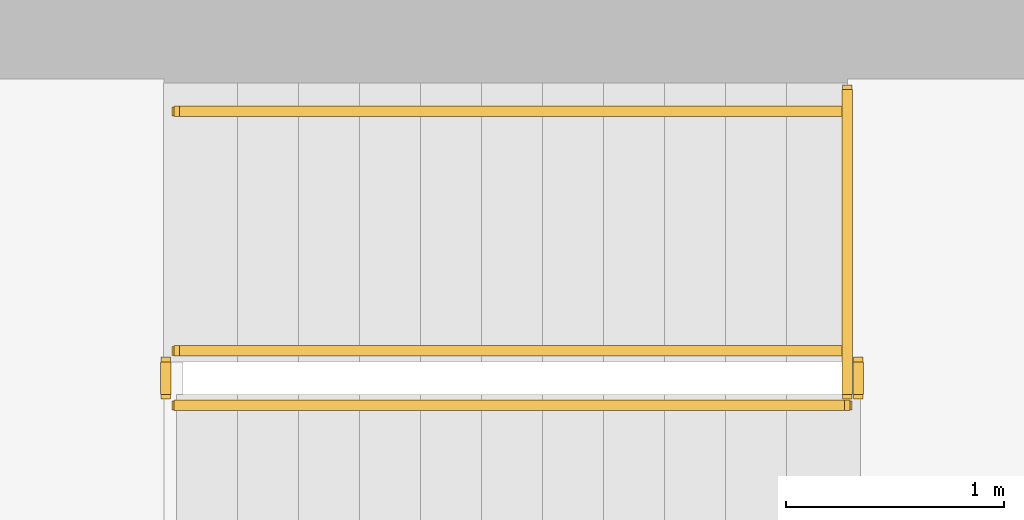
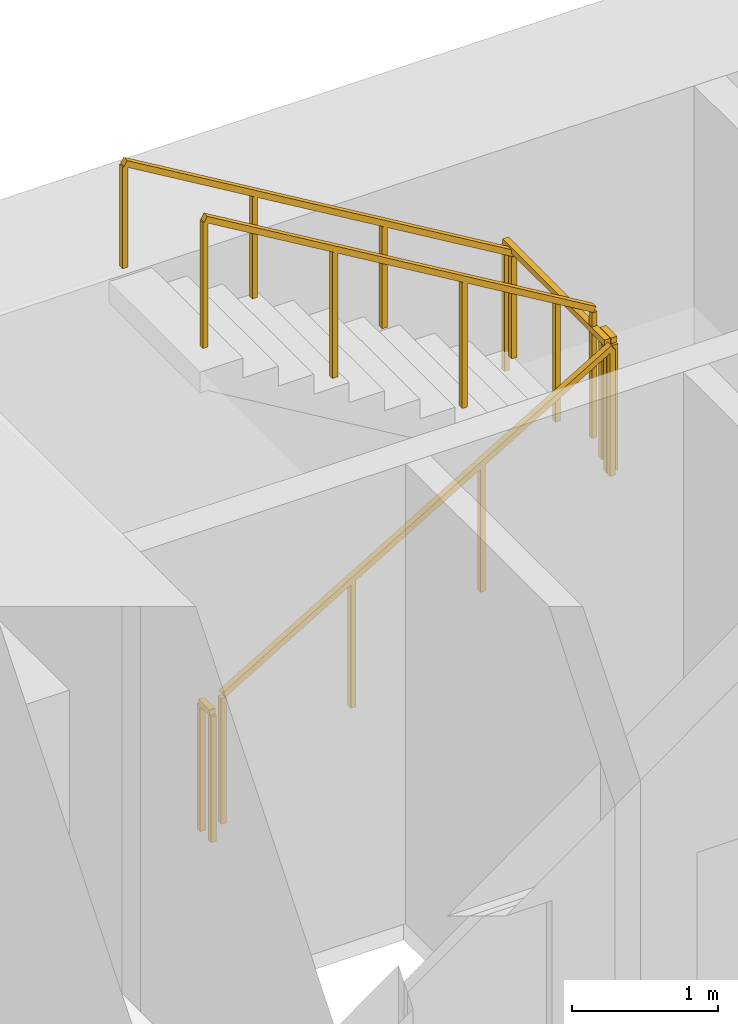
# One storey, part 16 of 17: 6 railings.
"""IFC4 building model written with IfcOpenShell, lengths in metres."""

from ifc_helpers import new_model, si_unit, direction, frame, origin, origin_2d, place, context, subcontext, project, spatial, rectangle, extrude, material, type_object, element, save


model = new_model("IFC4")

# Units and contexts
model_context = context("Model", 3, precision=1e-05, world=origin(), true_north=direction((0.0, 1.0)))
body_context = subcontext(model_context, "Body", "Model", "MODEL_VIEW")
ifc_project = project(units=[si_unit("LENGTHUNIT", "METRE"), si_unit("AREAUNIT", "SQUARE_METRE"), si_unit("VOLUMEUNIT", "CUBIC_METRE"), si_unit("PLANEANGLEUNIT", "RADIAN"), si_unit("MASSUNIT", "GRAM", prefix="KILO")], contexts=[model_context])

# Site, building, storey
site_placement = place(None, origin())
site = spatial("IfcSite", under=ifc_project, at=site_placement, CompositionType="ELEMENT")
building_placement = place(site_placement, origin())
building = spatial("IfcBuilding", under=site, at=building_placement, Name="Sennacour Bend Tower", CompositionType="ELEMENT")
storey_placement = place(building_placement, frame((0.0, 0.0, 53.0)))
storey = spatial("IfcBuildingStorey", under=building, at=storey_placement, Name="L11", CompositionType="ELEMENT", Elevation=53.0)

# Railings
ifc_material = material(Name="Stainless steel", Category="steel")
railing_type_1 = type_object("IfcRailingType", Name="RL-GUARD-1100", PredefinedType="GUARDRAIL", material=ifc_material)
railing_1_placement = place(storey_placement, frame((56.699951171875, 19.85009765625, 0.166748046875)))
element("IfcRailing", 1, at=railing_1_placement, inside=storey, type_object=railing_type_1, Name="L11 SA2 stair guard 1", PredefinedType="GUARDRAIL", context=body_context, shape_type="SweptSolid", body=[
    extrude(rectangle(XDim=0.048095703125, YDim=0.048095703125, at=origin_2d()), frame((0.0, 0.0, 1.076171875), z_axis=(0.859308565015, 0.0, 0.511457515432), x_axis=(0.0, 1.0, 0.0)), (0.0, 0.0, 1.0), 3.58447265625),
    extrude(rectangle(XDim=0.0419921875, YDim=0.0419921875, at=origin_2d()), origin(), (0.0, 0.0, 1.0), 1.052001953125),
    extrude(rectangle(XDim=0.0419921875, YDim=0.0419921875, at=origin_2d()), frame((1.026611328125, 0.0, 0.611083984375)), (0.0, 0.0, 1.0), 1.052001953125),
    extrude(rectangle(XDim=0.0419921875, YDim=0.0419921875, at=origin_2d()), frame((2.053466796875, 0.0, 1.22216796875)), (0.0, 0.0, 1.0), 1.052001953125),
    extrude(rectangle(XDim=0.0419921875, YDim=0.0419921875, at=origin_2d()), frame((3.080078125, 0.0, 1.833251953125)), (0.0, 0.0, 1.0), 1.052001953125),
])
railing_2_placement = place(storey_placement, frame((59.830078125, 19.89990234375, 2.0)))
element("IfcRailing", 2, at=railing_2_placement, inside=storey, type_object=railing_type_1, Name="L11 SA2 stair guard 2", PredefinedType="GUARDRAIL", context=body_context, shape_type="SweptSolid", body=[
    extrude(rectangle(XDim=0.048095703125, YDim=0.048095703125, at=origin_2d()), frame((0.0, 0.0, 1.076171875), z_axis=(0.0, 1.0, 0.0), x_axis=(-1.0, 0.0, 0.0)), (0.0, 0.0, 1.0), 0.150146484375),
    extrude(rectangle(XDim=0.0419921875, YDim=0.0419921875, at=origin_2d()), origin(), (0.0, 0.0, 1.0), 1.052001953125),
    extrude(rectangle(XDim=0.0419921875, YDim=0.0419921875, at=origin_2d()), frame((0.0, 0.150146484375, 0.0)), (0.0, 0.0, 1.0), 1.052001953125),
])
railing_3_placement = place(storey_placement, frame((59.780029296875, 20.10009765625, 2.166748046875)))
element("IfcRailing", 3, at=railing_3_placement, inside=storey, type_object=railing_type_1, Name="L11 SA2 stair guard 4", PredefinedType="GUARDRAIL", context=body_context, shape_type="SweptSolid", body=[
    extrude(rectangle(XDim=0.048095703125, YDim=0.048095703125, at=origin_2d()), frame((0.0, 0.0, 1.076171875), z_axis=(-0.859308565015, 0.0, 0.511457515432), x_axis=(0.0, -1.0, 0.0)), (0.0, 0.0, 1.0), 3.58447265625),
    extrude(rectangle(XDim=0.0419921875, YDim=0.0419921875, at=origin_2d()), origin(), (0.0, 0.0, 1.0), 1.052001953125),
    extrude(rectangle(XDim=0.0419921875, YDim=0.0419921875, at=origin_2d()), frame((-1.026611328125, 0.0, 0.611083984375)), (0.0, 0.0, 1.0), 1.052001953125),
    extrude(rectangle(XDim=0.0419921875, YDim=0.0419921875, at=origin_2d()), frame((-2.053466796875, 0.0, 1.22216796875)), (0.0, 0.0, 1.0), 1.052001953125),
    extrude(rectangle(XDim=0.0419921875, YDim=0.0419921875, at=origin_2d()), frame((-3.080078125, 0.0, 1.833251953125)), (0.0, 0.0, 1.0), 1.052001953125),
])
railing_4_placement = place(storey_placement, frame((56.64990234375, 19.89990234375, 0.0)))
element("IfcRailing", 4, at=railing_4_placement, inside=storey, type_object=railing_type_1, Name="L11 SA2 stair guard 5", PredefinedType="GUARDRAIL", context=body_context, shape_type="SweptSolid", body=[
    extrude(rectangle(XDim=0.048095703125, YDim=0.048095703125, at=origin_2d()), frame((0.0, 0.0, 1.076171875), z_axis=(0.0, 1.0, 0.0), x_axis=(-1.0, 0.0, 0.0)), (0.0, 0.0, 1.0), 0.150146484375),
    extrude(rectangle(XDim=0.0419921875, YDim=0.0419921875, at=origin_2d()), origin(), (0.0, 0.0, 1.0), 1.052001953125),
    extrude(rectangle(XDim=0.0419921875, YDim=0.0419921875, at=origin_2d()), frame((0.0, 0.150146484375, 0.0)), (0.0, 0.0, 1.0), 1.052001953125),
])
railing_5_placement = place(storey_placement, frame((59.780029296875, 19.89990234375, 2.0)))
element("IfcRailing", 5, at=railing_5_placement, inside=storey, type_object=railing_type_1, Name="L11 SA2 landing edge guard 22", PredefinedType="GUARDRAIL", context=body_context, shape_type="SweptSolid", body=[
    extrude(rectangle(XDim=0.048095703125, YDim=0.048095703125, at=origin_2d()), frame((0.0, 0.0, 1.076171875), z_axis=(0.0, 1.0, 0.0), x_axis=(-1.0, 0.0, 0.0)), (0.0, 0.0, 1.0), 1.400146484375),
    extrude(rectangle(XDim=0.0419921875, YDim=0.0419921875, at=origin_2d()), origin(), (0.0, 0.0, 1.0), 1.052001953125),
    extrude(rectangle(XDim=0.0419921875, YDim=0.0419921875, at=origin_2d()), frame((0.0, 0.7001953125, 0.0)), (0.0, 0.0, 1.0), 1.052001953125),
    extrude(rectangle(XDim=0.0419921875, YDim=0.0419921875, at=origin_2d()), frame((0.0, 1.400146484375, 0.0)), (0.0, 0.0, 1.0), 1.052001953125),
])
railing_type_2 = type_object("IfcRailingType", Name="RL-HANDRAIL-900", PredefinedType="HANDRAIL", material=ifc_material)
railing_6_placement = place(storey_placement, frame((59.780029296875, 21.199951171875, 2.166748046875)))
element("IfcRailing", 6, at=railing_6_placement, inside=storey, type_object=railing_type_2, Name="L11 SA2 stair handrail 2", PredefinedType="HANDRAIL", context=body_context, shape_type="SweptSolid", body=[
    extrude(rectangle(XDim=0.048095703125, YDim=0.048095703125, at=origin_2d()), frame((0.0, 0.0, 0.8759765625), z_axis=(-0.859308565015, 0.0, 0.511457515432), x_axis=(0.0, -1.0, 0.0)), (0.0, 0.0, 1.0), 3.58447265625),
    extrude(rectangle(XDim=0.0419921875, YDim=0.0419921875, at=origin_2d()), origin(), (0.0, 0.0, 1.0), 0.851806640625),
    extrude(rectangle(XDim=0.0419921875, YDim=0.0419921875, at=origin_2d()), frame((-1.026611328125, 0.0, 0.611083984375)), (0.0, 0.0, 1.0), 0.851806640625),
    extrude(rectangle(XDim=0.0419921875, YDim=0.0419921875, at=origin_2d()), frame((-2.053466796875, 0.0, 1.22216796875)), (0.0, 0.0, 1.0), 0.851806640625),
    extrude(rectangle(XDim=0.0419921875, YDim=0.0419921875, at=origin_2d()), frame((-3.080078125, 0.0, 1.833251953125)), (0.0, 0.0, 1.0), 0.851806640625),
])

save(model, "model.ifc")
